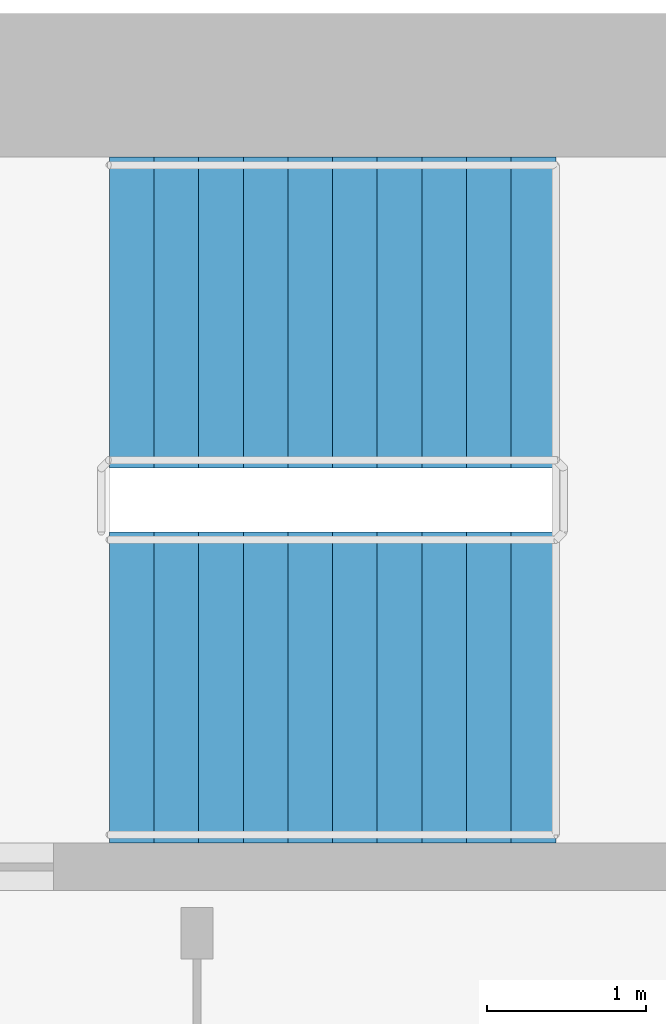
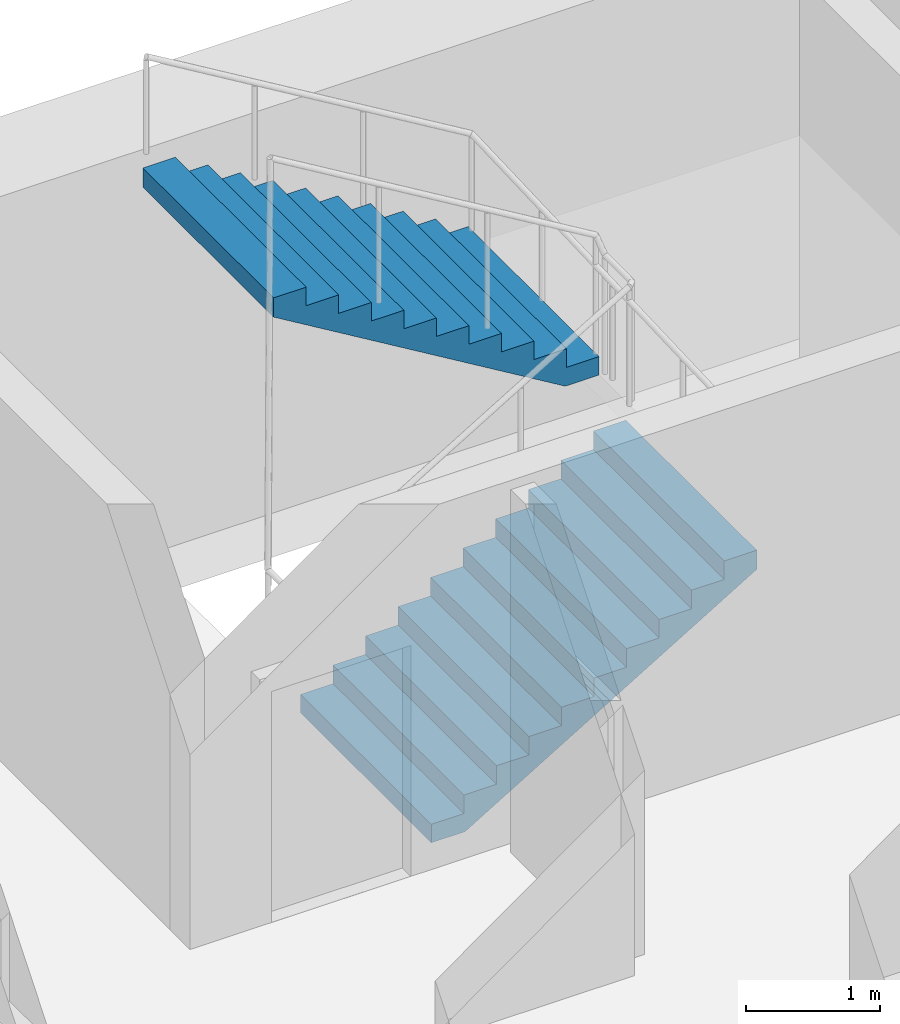
# One storey, part 17 of 22: 2 stair flights, 1 element without a shape of its own.
"""IFC4 building model written with IfcOpenShell, lengths in metres."""

import ifcopenshell
import ifcopenshell.guid

model = None  # the IFC model being written
_history = None  # IfcOwnerHistory: only IFC2X3 demands one
_inside = {}  # id of a spatial element -> (the spatial element, [elements in it])
_under = {}  # id of a project, library or spatial element -> (it, [spatial elements below it])
_declared = {}  # id of a project -> (the project, [libraries it declares])
_typed = {}  # id of a type object -> (the type object, [elements of that type])
_made_of = {}  # id of a material, layer set ... -> (it, [elements and type objects made of it])


def new_model(schema):
    """Start an empty IFC model of exactly this schema.

    Asked for "IFC4X3", IfcOpenShell would pick the latest addendum, in which some entities
    have other attributes; the version numbers below select the first issue.
    IFC2X3 requires an IfcOwnerHistory on every rooted entity: one is made here for all.
    """
    global model, _history
    if schema == "IFC4X3":
        model = ifcopenshell.file(schema_version=(4, 3, 0, 0))
    else:
        model = ifcopenshell.file(schema=schema)
    _inside.clear()
    _under.clear()
    _declared.clear()
    _typed.clear()
    _made_of.clear()
    _history = None
    if model.schema == "IFC2X3":
        org = make("IfcOrganization", Name="unknown")
        user = make(
            "IfcPersonAndOrganization",
            ThePerson=make("IfcPerson", FamilyName="unknown"),
            TheOrganization=org,
        )
        app = make(
            "IfcApplication",
            ApplicationDeveloper=org,
            Version="unknown",
            ApplicationFullName="unknown",
            ApplicationIdentifier="unknown",
        )
        _history = make(
            "IfcOwnerHistory",
            OwningUser=user,
            OwningApplication=app,
            ChangeAction="ADDED",
            CreationDate=0,
        )
    return model


def make(cls, **values):
    """One entity of the class cls with the attributes given. An attribute that is None is left unset."""
    return model.create_entity(
        cls, **{name: value for name, value in values.items() if value is not None}
    )


def rooted(cls, **values):
    """An entity with a GlobalId (a new one), such as an element, a storey or a relation."""
    return make(cls, GlobalId=ifcopenshell.guid.new(), OwnerHistory=_history, **values)


def si_unit(unit_type, name, prefix=None):
    """IfcSIUnit, for example si_unit("LENGTHUNIT", "METRE", prefix="MILLI")."""
    return make("IfcSIUnit", UnitType=unit_type, Prefix=prefix, Name=name)


def assignment(units):
    """IfcUnitAssignment: the units of a project."""
    return None if units is None else make("IfcUnitAssignment", Units=units)


def point(xyz):
    """IfcCartesianPoint."""
    return None if xyz is None else make("IfcCartesianPoint", Coordinates=xyz)


def direction(xyz):
    """IfcDirection."""
    return None if xyz is None else make("IfcDirection", DirectionRatios=xyz)


def frame(location, z_axis=None, x_axis=None):
    """IfcAxis2Placement3D, a coordinate frame: its origin and axes. An axis left out is left unset."""
    return make(
        "IfcAxis2Placement3D",
        Location=point(location),
        Axis=direction(z_axis),
        RefDirection=direction(x_axis),
    )


def origin():
    """The frame at (0, 0, 0) with its axes left unset."""
    return frame((0.0, 0.0, 0.0))


def place(relative_to, where):
    """IfcLocalPlacement: puts the frame where relative to a parent placement (None: the world)."""
    return make(
        "IfcLocalPlacement", PlacementRelTo=relative_to, RelativePlacement=where
    )


def context(
    kind, dimensions, precision=None, world=None, true_north=None, identifier=None
):
    """IfcGeometricRepresentationContext, for example the 3D "Model" context."""
    return make(
        "IfcGeometricRepresentationContext",
        ContextIdentifier=identifier,
        ContextType=kind,
        CoordinateSpaceDimension=dimensions,
        Precision=precision,
        WorldCoordinateSystem=world,
        TrueNorth=true_north,
    )


def subcontext(parent, identifier, kind, view, scale=None):
    """IfcGeometricRepresentationSubContext, for example "Body" below "Model"."""
    return make(
        "IfcGeometricRepresentationSubContext",
        ContextIdentifier=identifier,
        ContextType=kind,
        ParentContext=parent,
        TargetScale=scale,
        TargetView=view,
    )


def project(units=None, contexts=None):
    """IfcProject with its units and contexts."""
    return rooted(
        "IfcProject",
        Name="project",
        RepresentationContexts=contexts,
        UnitsInContext=assignment(units),
    )


def spatial(cls, under=None, at=None, **own):
    """A site, building, storey or space (cls), placed at a placement, below another one or the project."""
    s = rooted(cls, ObjectPlacement=at, **own)
    if under is not None:
        _under.setdefault(under.id(), (under, []))[1].append(s)
    return s


def polyline(points):
    """IfcPolyline through the points."""
    return make("IfcPolyline", Points=[point(p) for p in points])


def outline(outer, holes=None, kind="AREA"):
    """IfcArbitraryClosedProfileDef: a profile drawn as a closed curve; with holes, ...WithVoids."""
    if holes is None:
        return make("IfcArbitraryClosedProfileDef", ProfileType=kind, OuterCurve=outer)
    return make(
        "IfcArbitraryProfileDefWithVoids",
        ProfileType=kind,
        OuterCurve=outer,
        InnerCurves=holes,
    )


def extrude(swept, where, along, depth):
    """IfcExtrudedAreaSolid: the profile swept, set in the frame where, extruded along a direction by depth."""
    return make(
        "IfcExtrudedAreaSolid",
        SweptArea=swept,
        Position=where,
        ExtrudedDirection=direction(along),
        Depth=depth,
    )


def shape(context_of_items, identifier, shape_type, items):
    """IfcShapeRepresentation: the items that make up one representation, for example the "Body"."""
    return make(
        "IfcShapeRepresentation",
        ContextOfItems=context_of_items,
        RepresentationIdentifier=identifier,
        RepresentationType=shape_type,
        Items=items,
    )


def material(Name=None, Category=None):
    """IfcMaterial."""
    return make("IfcMaterial", Name=Name, Category=Category)


def made_of(thing, what):
    """Note that an element or type object is made of a material, layer set ...; save() writes the relation."""
    if what is not None:
        _made_of.setdefault(what.id(), (what, []))[1].append(thing)
    return thing


def type_object(cls, material=None, **own):
    """A type object (cls), such as IfcWallType, which elements share."""
    return made_of(rooted(cls, **own), material)


def element(
    cls,
    number,
    at=None,
    inside=None,
    cuts=None,
    type_object=None,
    material=None,
    context=None,
    identifier="Body",
    shape_type=None,
    held_by="IfcProductDefinitionShape",
    body=None,
    shapes=None,
    **own,
):
    """One element of the class cls, such as IfcWall. Its Tag is "e" and its number.

    at: its placement. inside: the storey or other place that contains it. cuts: it is an
    opening in that element (IfcRelVoidsElement). A single representation is given by context,
    identifier, shape_type and body (its items); several are given by shapes. held_by: the class
    of the entity that holds the representations. save() writes the other relations.
    """
    e = rooted(cls, Tag="e%d" % number, ObjectPlacement=at, **own)
    if body is not None:
        shapes = [shape(context, identifier, shape_type, body)]
    if shapes is not None:
        e.Representation = make(held_by, Representations=shapes)
    if inside is not None:
        _inside.setdefault(inside.id(), (inside, []))[1].append(e)
    if cuts is not None:
        rooted(
            "IfcRelVoidsElement", RelatingBuildingElement=cuts, RelatedOpeningElement=e
        )
    if type_object is not None:
        _typed.setdefault(type_object.id(), (type_object, []))[1].append(e)
    return made_of(e, material)


def aggregate(whole, parts):
    """IfcRelAggregates: a whole, such as a stair, and the parts it consists of."""
    return rooted("IfcRelAggregates", RelatingObject=whole, RelatedObjects=parts)


def save(model, path):
    """Write the relations noted so far, then the file.

    IfcRelAggregates (storeys below a building ...), IfcRelContainedInSpatialStructure (elements
    in a storey), IfcRelDefinesByType, IfcRelAssociatesMaterial and IfcRelDeclares: one each for
    every whole, place, type object, material and project.
    """
    for whole, parts in _under.values():
        aggregate(whole, parts)
    for where, things in _inside.values():
        rooted(
            "IfcRelContainedInSpatialStructure",
            RelatedElements=things,
            RelatingStructure=where,
        )
    for kind, things in _typed.values():
        rooted("IfcRelDefinesByType", RelatedObjects=things, RelatingType=kind)
    for what, things in _made_of.values():
        rooted("IfcRelAssociatesMaterial", RelatedObjects=things, RelatingMaterial=what)
    for by, libraries in _declared.values():
        rooted("IfcRelDeclares", RelatingContext=by, RelatedDefinitions=libraries)
    model.write(path)


model = new_model("IFC4")

# Units and contexts
model_context = context("Model", 3, precision=1e-05, world=origin(), true_north=direction((0.0, 1.0)))
body_context = subcontext(model_context, "Body", "Model", "MODEL_VIEW")
ifc_project = project(units=[si_unit("LENGTHUNIT", "METRE"), si_unit("AREAUNIT", "SQUARE_METRE"), si_unit("VOLUMEUNIT", "CUBIC_METRE"), si_unit("PLANEANGLEUNIT", "RADIAN"), si_unit("MASSUNIT", "GRAM", prefix="KILO")], contexts=[model_context])

# Site, building, storey
site_placement = place(None, origin())
site = spatial("IfcSite", under=ifc_project, at=site_placement, CompositionType="ELEMENT")
building_placement = place(site_placement, origin())
building = spatial("IfcBuilding", under=site, at=building_placement, Name="Hunhe Ridgeline Campus", CompositionType="ELEMENT")
storey_placement = place(building_placement, frame((0.0, 0.0, 137.5)))
storey = spatial("IfcBuildingStorey", under=building, at=storey_placement, Name="L34", CompositionType="ELEMENT", Elevation=137.5)

# Stair, stair flights
ifc_material = material(Name="Concrete C40", Category="concrete")
stair_type = type_object("IfcStairType", Name="Reinforced concrete dog-leg stair 1950 Concrete C40", PredefinedType="HALF_TURN_STAIR", material=ifc_material)
stair_placement = place(storey_placement, origin())
stair = element("IfcStair", 1, at=stair_placement, inside=storey, type_object=stair_type, Name="L34 E2", PredefinedType="HALF_TURN_STAIR")
stair_flight_type = type_object("IfcStairFlightType", Name="Reinforced concrete stair flight 1950 Concrete C40", PredefinedType="STRAIGHT", material=ifc_material)
stair_flight_1_placement = place(storey_placement, frame((51.64990234375, 94.77490234375, 0.0), z_axis=(0.0, 0.0, 1.0), x_axis=(1.0, 0.0, 0.0)))
stair_flight_1 = element("IfcStairFlight", 2, at=stair_flight_1_placement, type_object=stair_flight_type, Name="ST6 flight 1", NumberOfRisers=11, NumberOfTreads=10, PredefinedType="STRAIGHT", RiserHeight=0.168181818, TreadLength=0.28, context=body_context, shape_type="SweptSolid", body=[
    extrude(outline(polyline([(0.0, 0.0), (0.0, 0.168212890625), (0.280029296875, 0.168212890625), (0.280029296875, 0.33642578125), (0.56005859375, 0.33642578125), (0.56005859375, 0.504638671875), (0.840087890625, 0.504638671875), (0.840087890625, 0.672607421875), (1.1201171875, 0.672607421875), (1.1201171875, 0.8408203125), (1.39990234375, 0.8408203125), (1.39990234375, 1.009033203125), (1.679931640625, 1.009033203125), (1.679931640625, 1.17724609375), (1.9599609375, 1.17724609375), (1.9599609375, 1.345458984375), (2.239990234375, 1.345458984375), (2.239990234375, 1.513671875), (2.52001953125, 1.513671875), (2.52001953125, 1.681884765625), (2.800048828125, 1.681884765625), (2.800048828125, 1.85009765625), (2.800048828125, 1.5068359375), (0.291015625, 0.0), (0.0, 0.0)])), frame((0.0, 0.97509765625, 0.0), z_axis=(0.0, -1.0, 0.0), x_axis=(1.0, 0.0, 0.0)), (0.0, 0.0, 1.0), 1.949951171875),
    extrude(outline(polyline([(0.030029296875, 0.030029296875), (0.030029296875, 0.13818359375), (0.31005859375, 0.13818359375), (0.31005859375, 0.306396484375), (0.590087890625, 0.306396484375), (0.590087890625, 0.474609375), (0.8701171875, 0.474609375), (0.8701171875, 0.642578125), (1.14990234375, 0.642578125), (1.14990234375, 0.810791015625), (1.429931640625, 0.810791015625), (1.429931640625, 0.97900390625), (1.7099609375, 0.97900390625), (1.7099609375, 1.147216796875), (1.989990234375, 1.147216796875), (1.989990234375, 1.3154296875), (2.27001953125, 1.3154296875), (2.27001953125, 1.483642578125), (2.550048828125, 1.483642578125), (2.550048828125, 1.65185546875), (2.77001953125, 1.65185546875), (2.77001953125, 1.52392578125), (0.28271484375, 0.030029296875), (0.030029296875, 0.030029296875)])), frame((0.0, -0.070068359375, 0.0), z_axis=(0.0, -1.0, 0.0), x_axis=(1.0, 0.0, 0.0)), (0.0, 0.0, 1.0), 0.019775390625),
    extrude(outline(polyline([(0.030029296875, 0.030029296875), (0.030029296875, 0.13818359375), (0.31005859375, 0.13818359375), (0.31005859375, 0.306396484375), (0.590087890625, 0.306396484375), (0.590087890625, 0.474609375), (0.8701171875, 0.474609375), (0.8701171875, 0.642578125), (1.14990234375, 0.642578125), (1.14990234375, 0.810791015625), (1.429931640625, 0.810791015625), (1.429931640625, 0.97900390625), (1.7099609375, 0.97900390625), (1.7099609375, 1.147216796875), (1.989990234375, 1.147216796875), (1.989990234375, 1.3154296875), (2.27001953125, 1.3154296875), (2.27001953125, 1.483642578125), (2.550048828125, 1.483642578125), (2.550048828125, 1.65185546875), (2.77001953125, 1.65185546875), (2.77001953125, 1.52392578125), (0.28271484375, 0.030029296875), (0.030029296875, 0.030029296875)])), frame((0.0, 0.010009765625, 0.0), z_axis=(0.0, -1.0, 0.0), x_axis=(1.0, 0.0, 0.0)), (0.0, 0.0, 1.0), 0.019775390625),
    extrude(outline(polyline([(0.030029296875, 0.030029296875), (0.030029296875, 0.13818359375), (0.31005859375, 0.13818359375), (0.31005859375, 0.306396484375), (0.590087890625, 0.306396484375), (0.590087890625, 0.474609375), (0.8701171875, 0.474609375), (0.8701171875, 0.642578125), (1.14990234375, 0.642578125), (1.14990234375, 0.810791015625), (1.429931640625, 0.810791015625), (1.429931640625, 0.97900390625), (1.7099609375, 0.97900390625), (1.7099609375, 1.147216796875), (1.989990234375, 1.147216796875), (1.989990234375, 1.3154296875), (2.27001953125, 1.3154296875), (2.27001953125, 1.483642578125), (2.550048828125, 1.483642578125), (2.550048828125, 1.65185546875), (2.77001953125, 1.65185546875), (2.77001953125, 1.52392578125), (0.28271484375, 0.030029296875), (0.030029296875, 0.030029296875)])), frame((0.0, 0.090087890625, 0.0), z_axis=(0.0, -1.0, 0.0), x_axis=(1.0, 0.0, 0.0)), (0.0, 0.0, 1.0), 0.019775390625),
])
stair_flight_2_placement = place(storey_placement, frame((54.449951171875, 97.125, 1.85009765625), z_axis=(0.0, 0.0, 1.0), x_axis=(-1.0, 0.0, 0.0)))
stair_flight_2 = element("IfcStairFlight", 3, at=stair_flight_2_placement, type_object=stair_flight_type, Name="ST6 flight 2", NumberOfRisers=11, NumberOfTreads=10, PredefinedType="STRAIGHT", RiserHeight=0.168181818, TreadLength=0.28, context=body_context, shape_type="SweptSolid", body=[
    extrude(outline(polyline([(0.0, 0.0), (0.0, 0.168212890625), (0.280029296875, 0.168212890625), (0.280029296875, 0.33642578125), (0.56005859375, 0.33642578125), (0.56005859375, 0.504638671875), (0.840087890625, 0.504638671875), (0.840087890625, 0.672607421875), (1.1201171875, 0.672607421875), (1.1201171875, 0.8408203125), (1.39990234375, 0.8408203125), (1.39990234375, 1.009033203125), (1.679931640625, 1.009033203125), (1.679931640625, 1.17724609375), (1.9599609375, 1.17724609375), (1.9599609375, 1.345458984375), (2.239990234375, 1.345458984375), (2.239990234375, 1.513671875), (2.52001953125, 1.513671875), (2.52001953125, 1.681884765625), (2.800048828125, 1.681884765625), (2.800048828125, 1.85009765625), (2.800048828125, 1.5068359375), (0.291015625, 0.0), (0.0, 0.0)])), frame((0.0, 0.97509765625, 0.0), z_axis=(0.0, -1.0, 0.0), x_axis=(1.0, 0.0, 0.0)), (0.0, 0.0, 1.0), 1.949951171875),
    extrude(outline(polyline([(0.030029296875, 0.030029296875), (0.030029296875, 0.13818359375), (0.31005859375, 0.13818359375), (0.31005859375, 0.306396484375), (0.590087890625, 0.306396484375), (0.590087890625, 0.474609375), (0.8701171875, 0.474609375), (0.8701171875, 0.642578125), (1.14990234375, 0.642578125), (1.14990234375, 0.810791015625), (1.429931640625, 0.810791015625), (1.429931640625, 0.97900390625), (1.7099609375, 0.97900390625), (1.7099609375, 1.147216796875), (1.989990234375, 1.147216796875), (1.989990234375, 1.3154296875), (2.27001953125, 1.3154296875), (2.27001953125, 1.483642578125), (2.550048828125, 1.483642578125), (2.550048828125, 1.65185546875), (2.77001953125, 1.65185546875), (2.77001953125, 1.52392578125), (0.28271484375, 0.030029296875), (0.030029296875, 0.030029296875)])), frame((0.0, -0.070068359375, 0.0), z_axis=(0.0, -1.0, 0.0), x_axis=(1.0, 0.0, 0.0)), (0.0, 0.0, 1.0), 0.019775390625),
    extrude(outline(polyline([(0.030029296875, 0.030029296875), (0.030029296875, 0.13818359375), (0.31005859375, 0.13818359375), (0.31005859375, 0.306396484375), (0.590087890625, 0.306396484375), (0.590087890625, 0.474609375), (0.8701171875, 0.474609375), (0.8701171875, 0.642578125), (1.14990234375, 0.642578125), (1.14990234375, 0.810791015625), (1.429931640625, 0.810791015625), (1.429931640625, 0.97900390625), (1.7099609375, 0.97900390625), (1.7099609375, 1.147216796875), (1.989990234375, 1.147216796875), (1.989990234375, 1.3154296875), (2.27001953125, 1.3154296875), (2.27001953125, 1.483642578125), (2.550048828125, 1.483642578125), (2.550048828125, 1.65185546875), (2.77001953125, 1.65185546875), (2.77001953125, 1.52392578125), (0.28271484375, 0.030029296875), (0.030029296875, 0.030029296875)])), frame((0.0, 0.010009765625, 0.0), z_axis=(0.0, -1.0, 0.0), x_axis=(1.0, 0.0, 0.0)), (0.0, 0.0, 1.0), 0.019775390625),
    extrude(outline(polyline([(0.030029296875, 0.030029296875), (0.030029296875, 0.13818359375), (0.31005859375, 0.13818359375), (0.31005859375, 0.306396484375), (0.590087890625, 0.306396484375), (0.590087890625, 0.474609375), (0.8701171875, 0.474609375), (0.8701171875, 0.642578125), (1.14990234375, 0.642578125), (1.14990234375, 0.810791015625), (1.429931640625, 0.810791015625), (1.429931640625, 0.97900390625), (1.7099609375, 0.97900390625), (1.7099609375, 1.147216796875), (1.989990234375, 1.147216796875), (1.989990234375, 1.3154296875), (2.27001953125, 1.3154296875), (2.27001953125, 1.483642578125), (2.550048828125, 1.483642578125), (2.550048828125, 1.65185546875), (2.77001953125, 1.65185546875), (2.77001953125, 1.52392578125), (0.28271484375, 0.030029296875), (0.030029296875, 0.030029296875)])), frame((0.0, 0.090087890625, 0.0), z_axis=(0.0, -1.0, 0.0), x_axis=(1.0, 0.0, 0.0)), (0.0, 0.0, 1.0), 0.019775390625),
])
aggregate(stair, [stair_flight_1, stair_flight_2])

save(model, "model.ifc")
